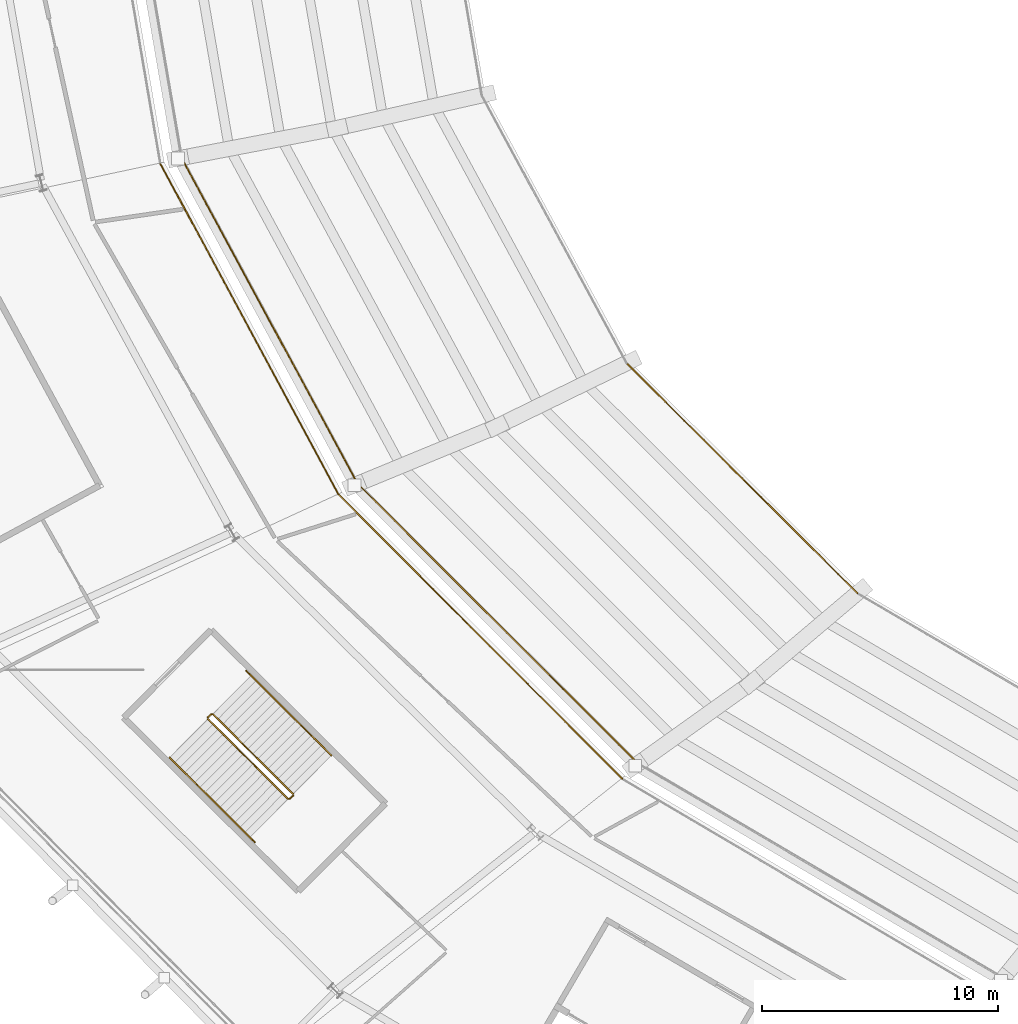
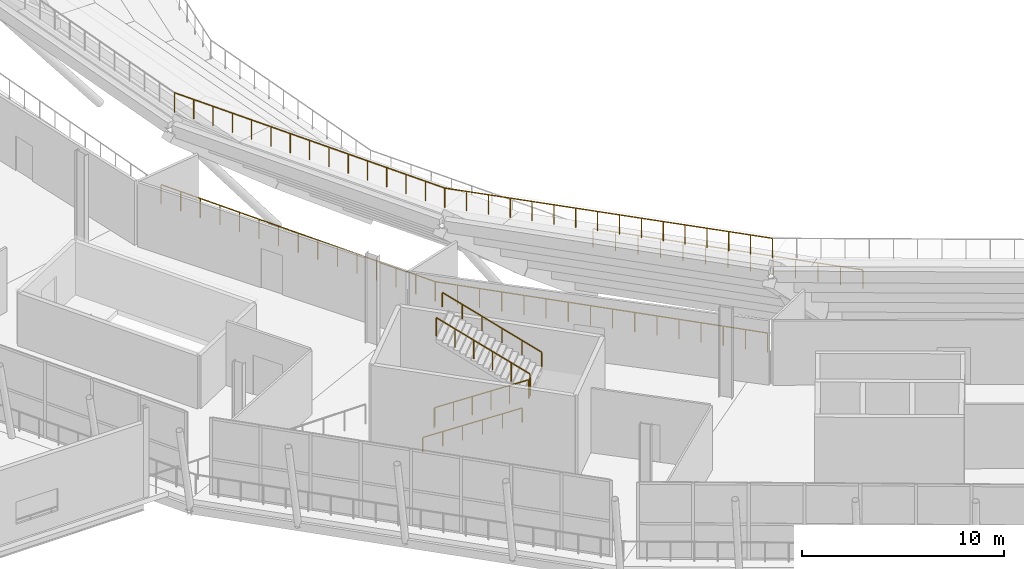
# One storey, part 107 of 126: 11 railings.
"""IFC4 building model written with IfcOpenShell, lengths in metres."""

from ifc_helpers import new_model, si_unit, direction, frame, origin, origin_2d, place, context, subcontext, project, spatial, rectangle, extrude, material, type_object, element, save


model = new_model("IFC4")

# Units and contexts
model_context = context("Model", 3, precision=1e-05, world=origin(), true_north=direction((0.0, 1.0)))
body_context = subcontext(model_context, "Body", "Model", "MODEL_VIEW")
ifc_project = project(units=[si_unit("LENGTHUNIT", "METRE"), si_unit("AREAUNIT", "SQUARE_METRE"), si_unit("VOLUMEUNIT", "CUBIC_METRE"), si_unit("PLANEANGLEUNIT", "RADIAN"), si_unit("MASSUNIT", "GRAM", prefix="KILO")], contexts=[model_context])

# Site, building, storey
site_placement = place(None, origin())
site = spatial("IfcSite", under=ifc_project, at=site_placement, CompositionType="ELEMENT")
building_placement = place(site_placement, origin())
building = spatial("IfcBuilding", under=site, at=building_placement, Name="Zlatoyarsky Gate Stadium", CompositionType="ELEMENT")
storey_placement = place(building_placement, frame((0.0, 0.0, 20.800048828125)))
storey = spatial("IfcBuildingStorey", under=building, at=storey_placement, Name="L04", CompositionType="ELEMENT", Elevation=20.800048828125)

# Railings
ifc_material_1 = material(Name="Galvanised steel sightline guardrail", Category="steel")
railing_type_1 = type_object("IfcRailingType", Name="BOWL FRONT SIGHTLINE GUARDRAIL 1150", PredefinedType="GUARDRAIL", material=ifc_material_1)
railing_1_placement = place(storey_placement, frame((57.609619140625, 56.425048828125, -4.400146484375)))
element("IfcRailing", 1, at=railing_1_placement, inside=storey, type_object=railing_type_1, Name="Upper bowl front guardrail 14", PredefinedType="GUARDRAIL", context=body_context, shape_type="SweptSolid", body=[
    extrude(rectangle(XDim=0.048095703125, YDim=0.048095703125, at=origin_2d()), frame((0.0, 0.0, 1.1259765625), z_axis=(0.708270682541, -0.705940960884, 0.0), x_axis=(0.705940960884, 0.708270682541, 0.0)), (0.0, 0.0, 1.0), 13.832763671875),
    extrude(rectangle(XDim=0.0419921875, YDim=0.0419921875, at=origin_2d()), origin(), (0.0, 0.0, 1.0), 1.101806640625),
    extrude(rectangle(XDim=0.0419921875, YDim=0.0419921875, at=origin_2d()), frame((0.81640625, -0.813720703125, 0.0)), (0.0, 0.0, 1.0), 1.101806640625),
    extrude(rectangle(XDim=0.0419921875, YDim=0.0419921875, at=origin_2d()), frame((1.6328125, -1.62744140625, 0.0)), (0.0, 0.0, 1.0), 1.101806640625),
    extrude(rectangle(XDim=0.0419921875, YDim=0.0419921875, at=origin_2d()), frame((2.44921875, -2.44140625, 0.0)), (0.0, 0.0, 1.0), 1.101806640625),
    extrude(rectangle(XDim=0.0419921875, YDim=0.0419921875, at=origin_2d()), frame((3.265869140625, -3.255126953125, 0.0)), (0.0, 0.0, 1.0), 1.101806640625),
    extrude(rectangle(XDim=0.0419921875, YDim=0.0419921875, at=origin_2d()), frame((4.082275390625, -4.06884765625, 0.0)), (0.0, 0.0, 1.0), 1.101806640625),
    extrude(rectangle(XDim=0.0419921875, YDim=0.0419921875, at=origin_2d()), frame((4.898681640625, -4.882568359375, 0.0)), (0.0, 0.0, 1.0), 1.101806640625),
    extrude(rectangle(XDim=0.0419921875, YDim=0.0419921875, at=origin_2d()), frame((5.715087890625, -5.6962890625, 0.0)), (0.0, 0.0, 1.0), 1.101806640625),
    extrude(rectangle(XDim=0.0419921875, YDim=0.0419921875, at=origin_2d()), frame((6.531494140625, -6.510009765625, 0.0)), (0.0, 0.0, 1.0), 1.101806640625),
    extrude(rectangle(XDim=0.0419921875, YDim=0.0419921875, at=origin_2d()), frame((7.34814453125, -7.32373046875, 0.0)), (0.0, 0.0, 1.0), 1.101806640625),
    extrude(rectangle(XDim=0.0419921875, YDim=0.0419921875, at=origin_2d()), frame((8.16455078125, -8.1376953125, 0.0)), (0.0, 0.0, 1.0), 1.101806640625),
    extrude(rectangle(XDim=0.0419921875, YDim=0.0419921875, at=origin_2d()), frame((8.98095703125, -8.951416015625, 0.0)), (0.0, 0.0, 1.0), 1.101806640625),
    extrude(rectangle(XDim=0.0419921875, YDim=0.0419921875, at=origin_2d()), frame((9.79736328125, -9.76513671875, 0.0)), (0.0, 0.0, 1.0), 1.101806640625),
])
ifc_material_2 = material(Name="Powder-coated steel tubular guardrail", Category="steel")
railing_type_2 = type_object("IfcRailingType", Name="CONCOURSE SLAB EDGE GUARDRAIL 1200", PredefinedType="GUARDRAIL", material=ifc_material_2)
railing_2_placement = place(storey_placement, frame((38.700439453125, 65.15673828125, 5.099853515625)))
element("IfcRailing", 2, at=railing_2_placement, inside=storey, type_object=railing_type_2, Name="Upper bowl back guardrail 13", PredefinedType="GUARDRAIL", context=body_context, shape_type="SweptSolid", body=[
    extrude(rectangle(XDim=0.048095703125, YDim=0.048095703125, at=origin_2d()), frame((0.0, 0.0, 1.17578125), z_axis=(0.475561201038, -0.879682638266, 0.0), x_axis=(0.879682638266, 0.475561201038, 0.0)), (0.0, 0.0, 1.0), 15.7236328125),
    extrude(rectangle(XDim=0.0419921875, YDim=0.0419921875, at=origin_2d()), origin(), (0.0, 0.0, 1.0), 1.15185546875),
    extrude(rectangle(XDim=0.0419921875, YDim=0.0419921875, at=origin_2d()), frame((0.5341796875, -0.988037109375, 0.0)), (0.0, 0.0, 1.0), 1.15185546875),
    extrude(rectangle(XDim=0.0419921875, YDim=0.0419921875, at=origin_2d()), frame((1.068115234375, -1.97607421875, 0.0)), (0.0, 0.0, 1.0), 1.15185546875),
    extrude(rectangle(XDim=0.0419921875, YDim=0.0419921875, at=origin_2d()), frame((1.602294921875, -2.9638671875, 0.0)), (0.0, 0.0, 1.0), 1.15185546875),
    extrude(rectangle(XDim=0.0419921875, YDim=0.0419921875, at=origin_2d()), frame((2.136474609375, -3.951904296875, 0.0)), (0.0, 0.0, 1.0), 1.15185546875),
    extrude(rectangle(XDim=0.0419921875, YDim=0.0419921875, at=origin_2d()), frame((2.670654296875, -4.93994140625, 0.0)), (0.0, 0.0, 1.0), 1.15185546875),
    extrude(rectangle(XDim=0.0419921875, YDim=0.0419921875, at=origin_2d()), frame((3.20458984375, -5.927978515625, 0.0)), (0.0, 0.0, 1.0), 1.15185546875),
    extrude(rectangle(XDim=0.0419921875, YDim=0.0419921875, at=origin_2d()), frame((3.73876953125, -6.916015625, 0.0)), (0.0, 0.0, 1.0), 1.15185546875),
    extrude(rectangle(XDim=0.0419921875, YDim=0.0419921875, at=origin_2d()), frame((4.27294921875, -7.90380859375, 0.0)), (0.0, 0.0, 1.0), 1.15185546875),
    extrude(rectangle(XDim=0.0419921875, YDim=0.0419921875, at=origin_2d()), frame((4.806884765625, -8.891845703125, 0.0)), (0.0, 0.0, 1.0), 1.15185546875),
    extrude(rectangle(XDim=0.0419921875, YDim=0.0419921875, at=origin_2d()), frame((5.341064453125, -9.8798828125, 0.0)), (0.0, 0.0, 1.0), 1.15185546875),
    extrude(rectangle(XDim=0.0419921875, YDim=0.0419921875, at=origin_2d()), frame((5.875244140625, -10.867919921875, 0.0)), (0.0, 0.0, 1.0), 1.15185546875),
    extrude(rectangle(XDim=0.0419921875, YDim=0.0419921875, at=origin_2d()), frame((6.409423828125, -11.855712890625, 0.0)), (0.0, 0.0, 1.0), 1.15185546875),
    extrude(rectangle(XDim=0.0419921875, YDim=0.0419921875, at=origin_2d()), frame((6.943359375, -12.84375, 0.0)), (0.0, 0.0, 1.0), 1.15185546875),
    extrude(rectangle(XDim=0.0419921875, YDim=0.0419921875, at=origin_2d()), frame((7.4775390625, -13.831787109375, 0.0)), (0.0, 0.0, 1.0), 1.15185546875),
])
railing_3_placement = place(storey_placement, frame((37.802001953125, 64.916015625, 0.0)))
element("IfcRailing", 3, at=railing_3_placement, inside=storey, type_object=railing_type_2, Name="L04 inner bowl edge guardrail 13", PredefinedType="GUARDRAIL", context=body_context, shape_type="SweptSolid", body=[
    extrude(rectangle(XDim=0.048095703125, YDim=0.048095703125, at=origin_2d()), frame((0.0, 0.0, 1.17578125), z_axis=(0.474196483851, -0.880419044946, 0.0), x_axis=(0.880419044946, 0.474196483851, 0.0)), (0.0, 0.0, 1.0), 15.965087890625),
    extrude(rectangle(XDim=0.0419921875, YDim=0.0419921875, at=origin_2d()), origin(), (0.0, 0.0, 1.0), 1.15185546875),
    extrude(rectangle(XDim=0.0419921875, YDim=0.0419921875, at=origin_2d()), frame((0.540771484375, -1.00390625, 0.0)), (0.0, 0.0, 1.0), 1.15185546875),
    extrude(rectangle(XDim=0.0419921875, YDim=0.0419921875, at=origin_2d()), frame((1.08154296875, -2.008056640625, 0.0)), (0.0, 0.0, 1.0), 1.15185546875),
    extrude(rectangle(XDim=0.0419921875, YDim=0.0419921875, at=origin_2d()), frame((1.622314453125, -3.011962890625, 0.0)), (0.0, 0.0, 1.0), 1.15185546875),
    extrude(rectangle(XDim=0.0419921875, YDim=0.0419921875, at=origin_2d()), frame((2.1630859375, -4.015869140625, 0.0)), (0.0, 0.0, 1.0), 1.15185546875),
    extrude(rectangle(XDim=0.0419921875, YDim=0.0419921875, at=origin_2d()), frame((2.703857421875, -5.02001953125, 0.0)), (0.0, 0.0, 1.0), 1.15185546875),
    extrude(rectangle(XDim=0.0419921875, YDim=0.0419921875, at=origin_2d()), frame((3.24462890625, -6.02392578125, 0.0)), (0.0, 0.0, 1.0), 1.15185546875),
    extrude(rectangle(XDim=0.0419921875, YDim=0.0419921875, at=origin_2d()), frame((3.78515625, -7.02783203125, 0.0)), (0.0, 0.0, 1.0), 1.15185546875),
    extrude(rectangle(XDim=0.0419921875, YDim=0.0419921875, at=origin_2d()), frame((4.325927734375, -8.031982421875, 0.0)), (0.0, 0.0, 1.0), 1.15185546875),
    extrude(rectangle(XDim=0.0419921875, YDim=0.0419921875, at=origin_2d()), frame((4.86669921875, -9.035888671875, 0.0)), (0.0, 0.0, 1.0), 1.15185546875),
    extrude(rectangle(XDim=0.0419921875, YDim=0.0419921875, at=origin_2d()), frame((5.407470703125, -10.0400390625, 0.0)), (0.0, 0.0, 1.0), 1.15185546875),
    extrude(rectangle(XDim=0.0419921875, YDim=0.0419921875, at=origin_2d()), frame((5.9482421875, -11.0439453125, 0.0)), (0.0, 0.0, 1.0), 1.15185546875),
    extrude(rectangle(XDim=0.0419921875, YDim=0.0419921875, at=origin_2d()), frame((6.489013671875, -12.0478515625, 0.0)), (0.0, 0.0, 1.0), 1.15185546875),
    extrude(rectangle(XDim=0.0419921875, YDim=0.0419921875, at=origin_2d()), frame((7.02978515625, -13.052001953125, 0.0)), (0.0, 0.0, 1.0), 1.15185546875),
    extrude(rectangle(XDim=0.0419921875, YDim=0.0419921875, at=origin_2d()), frame((7.570556640625, -14.055908203125, 0.0)), (0.0, 0.0, 1.0), 1.15185546875),
])
railing_4_placement = place(storey_placement, frame((46.177978515625, 51.324951171875, 5.099853515625)))
element("IfcRailing", 4, at=railing_4_placement, inside=storey, type_object=railing_type_2, Name="Upper bowl back guardrail 14", PredefinedType="GUARDRAIL", context=body_context, shape_type="SweptSolid", body=[
    extrude(rectangle(XDim=0.048095703125, YDim=0.048095703125, at=origin_2d()), frame((0.0, 0.0, 1.17578125), z_axis=(0.707629445314, -0.706583730441, 0.0), x_axis=(0.706583730441, 0.707629445314, 0.0)), (0.0, 0.0, 1.0), 16.8095703125),
    extrude(rectangle(XDim=0.0419921875, YDim=0.0419921875, at=origin_2d()), origin(), (0.0, 0.0, 1.0), 1.15185546875),
    extrude(rectangle(XDim=0.0419921875, YDim=0.0419921875, at=origin_2d()), frame((0.79296875, -0.791748046875, 0.0)), (0.0, 0.0, 1.0), 1.15185546875),
    extrude(rectangle(XDim=0.0419921875, YDim=0.0419921875, at=origin_2d()), frame((1.5859375, -1.583740234375, 0.0)), (0.0, 0.0, 1.0), 1.15185546875),
    extrude(rectangle(XDim=0.0419921875, YDim=0.0419921875, at=origin_2d()), frame((2.37890625, -2.37548828125, 0.0)), (0.0, 0.0, 1.0), 1.15185546875),
    extrude(rectangle(XDim=0.0419921875, YDim=0.0419921875, at=origin_2d()), frame((3.172119140625, -3.167236328125, 0.0)), (0.0, 0.0, 1.0), 1.15185546875),
    extrude(rectangle(XDim=0.0419921875, YDim=0.0419921875, at=origin_2d()), frame((3.965087890625, -3.959228515625, 0.0)), (0.0, 0.0, 1.0), 1.15185546875),
    extrude(rectangle(XDim=0.0419921875, YDim=0.0419921875, at=origin_2d()), frame((4.758056640625, -4.7509765625, 0.0)), (0.0, 0.0, 1.0), 1.15185546875),
    extrude(rectangle(XDim=0.0419921875, YDim=0.0419921875, at=origin_2d()), frame((5.551025390625, -5.542724609375, 0.0)), (0.0, 0.0, 1.0), 1.15185546875),
    extrude(rectangle(XDim=0.0419921875, YDim=0.0419921875, at=origin_2d()), frame((6.343994140625, -6.334716796875, 0.0)), (0.0, 0.0, 1.0), 1.15185546875),
    extrude(rectangle(XDim=0.0419921875, YDim=0.0419921875, at=origin_2d()), frame((7.136962890625, -7.12646484375, 0.0)), (0.0, 0.0, 1.0), 1.15185546875),
    extrude(rectangle(XDim=0.0419921875, YDim=0.0419921875, at=origin_2d()), frame((7.929931640625, -7.918212890625, 0.0)), (0.0, 0.0, 1.0), 1.15185546875),
    extrude(rectangle(XDim=0.0419921875, YDim=0.0419921875, at=origin_2d()), frame((8.722900390625, -8.710205078125, 0.0)), (0.0, 0.0, 1.0), 1.15185546875),
    extrude(rectangle(XDim=0.0419921875, YDim=0.0419921875, at=origin_2d()), frame((9.51611328125, -9.501953125, 0.0)), (0.0, 0.0, 1.0), 1.15185546875),
    extrude(rectangle(XDim=0.0419921875, YDim=0.0419921875, at=origin_2d()), frame((10.30908203125, -10.293701171875, 0.0)), (0.0, 0.0, 1.0), 1.15185546875),
    extrude(rectangle(XDim=0.0419921875, YDim=0.0419921875, at=origin_2d()), frame((11.10205078125, -11.085693359375, 0.0)), (0.0, 0.0, 1.0), 1.15185546875),
    extrude(rectangle(XDim=0.0419921875, YDim=0.0419921875, at=origin_2d()), frame((11.89501953125, -11.87744140625, 0.0)), (0.0, 0.0, 1.0), 1.15185546875),
])
railing_5_placement = place(storey_placement, frame((45.37255859375, 50.860107421875, 0.0)))
element("IfcRailing", 5, at=railing_5_placement, inside=storey, type_object=railing_type_2, Name="L04 inner bowl edge guardrail 14", PredefinedType="GUARDRAIL", context=body_context, shape_type="SweptSolid", body=[
    extrude(rectangle(XDim=0.048095703125, YDim=0.048095703125, at=origin_2d()), frame((0.0, 0.0, 1.17578125), z_axis=(0.706297313219, -0.707915323566, 0.0), x_axis=(0.707915323566, 0.706297313219, 0.0)), (0.0, 0.0, 1.0), 17.050537109375),
    extrude(rectangle(XDim=0.0419921875, YDim=0.0419921875, at=origin_2d()), origin(), (0.0, 0.0, 1.0), 1.15185546875),
    extrude(rectangle(XDim=0.0419921875, YDim=0.0419921875, at=origin_2d()), frame((0.802734375, -0.8046875, 0.0)), (0.0, 0.0, 1.0), 1.15185546875),
    extrude(rectangle(XDim=0.0419921875, YDim=0.0419921875, at=origin_2d()), frame((1.605712890625, -1.609375, 0.0)), (0.0, 0.0, 1.0), 1.15185546875),
    extrude(rectangle(XDim=0.0419921875, YDim=0.0419921875, at=origin_2d()), frame((2.408447265625, -2.4140625, 0.0)), (0.0, 0.0, 1.0), 1.15185546875),
    extrude(rectangle(XDim=0.0419921875, YDim=0.0419921875, at=origin_2d()), frame((3.21142578125, -3.21875, 0.0)), (0.0, 0.0, 1.0), 1.15185546875),
    extrude(rectangle(XDim=0.0419921875, YDim=0.0419921875, at=origin_2d()), frame((4.01416015625, -4.0234375, 0.0)), (0.0, 0.0, 1.0), 1.15185546875),
    extrude(rectangle(XDim=0.0419921875, YDim=0.0419921875, at=origin_2d()), frame((4.817138671875, -4.828125, 0.0)), (0.0, 0.0, 1.0), 1.15185546875),
    extrude(rectangle(XDim=0.0419921875, YDim=0.0419921875, at=origin_2d()), frame((5.619873046875, -5.6328125, 0.0)), (0.0, 0.0, 1.0), 1.15185546875),
    extrude(rectangle(XDim=0.0419921875, YDim=0.0419921875, at=origin_2d()), frame((6.4228515625, -6.4375, 0.0)), (0.0, 0.0, 1.0), 1.15185546875),
    extrude(rectangle(XDim=0.0419921875, YDim=0.0419921875, at=origin_2d()), frame((7.2255859375, -7.2421875, 0.0)), (0.0, 0.0, 1.0), 1.15185546875),
    extrude(rectangle(XDim=0.0419921875, YDim=0.0419921875, at=origin_2d()), frame((8.028564453125, -8.046875, 0.0)), (0.0, 0.0, 1.0), 1.15185546875),
    extrude(rectangle(XDim=0.0419921875, YDim=0.0419921875, at=origin_2d()), frame((8.831298828125, -8.8515625, 0.0)), (0.0, 0.0, 1.0), 1.15185546875),
    extrude(rectangle(XDim=0.0419921875, YDim=0.0419921875, at=origin_2d()), frame((9.63427734375, -9.65625, 0.0)), (0.0, 0.0, 1.0), 1.15185546875),
    extrude(rectangle(XDim=0.0419921875, YDim=0.0419921875, at=origin_2d()), frame((10.43701171875, -10.4609375, 0.0)), (0.0, 0.0, 1.0), 1.15185546875),
    extrude(rectangle(XDim=0.0419921875, YDim=0.0419921875, at=origin_2d()), frame((11.239990234375, -11.265625, 0.0)), (0.0, 0.0, 1.0), 1.15185546875),
    extrude(rectangle(XDim=0.0419921875, YDim=0.0419921875, at=origin_2d()), frame((12.042724609375, -12.0703125, 0.0)), (0.0, 0.0, 1.0), 1.15185546875),
])
ifc_material_3 = material(Name="Powder-coated steel stair guardrail", Category="steel")
railing_type_3 = type_object("IfcRailingType", Name="PAINTED STEEL STAIR WELL GUARDRAIL 1150", PredefinedType="GUARDRAIL", material=ifc_material_3)
railing_6_placement = place(storey_placement, frame((39.829345703125, 41.318603515625, 0.15869140625)))
element("IfcRailing", 6, at=railing_6_placement, inside=storey, type_object=railing_type_3, Name="ST-08 L04 stair guard 1", PredefinedType="GUARDRAIL", context=body_context, shape_type="SweptSolid", body=[
    extrude(rectangle(XDim=0.048095703125, YDim=0.048095703125, at=origin_2d()), frame((0.0, 0.0, 1.1259765625), z_axis=(0.626496914872, -0.623350270397, 0.467906033357), x_axis=(0.705324317314, 0.708884763136, 0.0)), (0.0, 0.0, 1.0), 5.43115234375),
    extrude(rectangle(XDim=0.0419921875, YDim=0.0419921875, at=origin_2d()), origin(), (0.0, 0.0, 1.0), 1.101806640625),
    extrude(rectangle(XDim=0.0419921875, YDim=0.0419921875, at=origin_2d()), frame((0.680419921875, -0.677001953125, 0.50830078125)), (0.0, 0.0, 1.0), 1.101806640625),
    extrude(rectangle(XDim=0.0419921875, YDim=0.0419921875, at=origin_2d()), frame((1.361083984375, -1.354248046875, 1.0166015625)), (0.0, 0.0, 1.0), 1.101806640625),
    extrude(rectangle(XDim=0.0419921875, YDim=0.0419921875, at=origin_2d()), frame((2.04150390625, -2.03125, 1.524658203125)), (0.0, 0.0, 1.0), 1.101806640625),
    extrude(rectangle(XDim=0.0419921875, YDim=0.0419921875, at=origin_2d()), frame((2.72216796875, -2.70849609375, 2.032958984375)), (0.0, 0.0, 1.0), 1.101806640625),
    extrude(rectangle(XDim=0.0419921875, YDim=0.0419921875, at=origin_2d()), frame((3.402587890625, -3.385498046875, 2.541259765625)), (0.0, 0.0, 1.0), 1.101806640625),
])
railing_7_placement = place(storey_placement, frame((43.302734375, 37.933349609375, 2.699951171875)))
element("IfcRailing", 7, at=railing_7_placement, inside=storey, type_object=railing_type_3, Name="ST-08 L04 stair guard 2", PredefinedType="GUARDRAIL", context=body_context, shape_type="SweptSolid", body=[
    extrude(rectangle(XDim=0.048095703125, YDim=0.048095703125, at=origin_2d()), frame((0.0, 0.0, 1.1259765625), z_axis=(0.705274116237, 0.708934708536, 0.0), x_axis=(-0.708934708536, 0.705274116237, 0.0)), (0.0, 0.0, 1.0), 0.2001953125),
    extrude(rectangle(XDim=0.0419921875, YDim=0.0419921875, at=origin_2d()), origin(), (0.0, 0.0, 1.0), 1.101806640625),
    extrude(rectangle(XDim=0.0419921875, YDim=0.0419921875, at=origin_2d()), frame((0.14111328125, 0.141845703125, 0.0)), (0.0, 0.0, 1.0), 1.101806640625),
])
railing_8_placement = place(storey_placement, frame((43.443603515625, 38.145751953125, 2.85888671875)))
element("IfcRailing", 8, at=railing_8_placement, inside=storey, type_object=railing_type_3, Name="ST-08 L04 stair guard 3", PredefinedType="GUARDRAIL", context=body_context, shape_type="SweptSolid", body=[
    extrude(rectangle(XDim=0.048095703125, YDim=0.048095703125, at=origin_2d()), frame((0.0, 0.0, 1.1259765625), z_axis=(-0.626537399108, 0.623345825329, 0.467857745008), x_axis=(-0.705298886343, -0.708910065469, 0.0)), (0.0, 0.0, 1.0), 5.43115234375),
    extrude(rectangle(XDim=0.0419921875, YDim=0.0419921875, at=origin_2d()), origin(), (0.0, 0.0, 1.0), 1.101806640625),
    extrude(rectangle(XDim=0.0419921875, YDim=0.0419921875, at=origin_2d()), frame((-0.6806640625, 0.677001953125, 0.50830078125)), (0.0, 0.0, 1.0), 1.101806640625),
    extrude(rectangle(XDim=0.0419921875, YDim=0.0419921875, at=origin_2d()), frame((-1.361083984375, 1.354248046875, 1.016357421875)), (0.0, 0.0, 1.0), 1.101806640625),
    extrude(rectangle(XDim=0.0419921875, YDim=0.0419921875, at=origin_2d()), frame((-2.041748046875, 2.03125, 1.524658203125)), (0.0, 0.0, 1.0), 1.101806640625),
    extrude(rectangle(XDim=0.0419921875, YDim=0.0419921875, at=origin_2d()), frame((-2.72216796875, 2.70849609375, 2.03271484375)), (0.0, 0.0, 1.0), 1.101806640625),
    extrude(rectangle(XDim=0.0419921875, YDim=0.0419921875, at=origin_2d()), frame((-3.40283203125, 3.385498046875, 2.541015625)), (0.0, 0.0, 1.0), 1.101806640625),
])
railing_9_placement = place(storey_placement, frame((39.8291015625, 41.389404296875, 0.0)))
element("IfcRailing", 9, at=railing_9_placement, inside=storey, type_object=railing_type_3, Name="ST-08 L04 stair guard 4", PredefinedType="GUARDRAIL", context=body_context, shape_type="SweptSolid", body=[
    extrude(rectangle(XDim=0.048095703125, YDim=0.048095703125, at=origin_2d()), frame((0.0, 0.0, 1.1259765625), z_axis=(0.705884473151, 0.708326979978, 0.0), x_axis=(-0.708326979978, 0.705884473151, 0.0)), (0.0, 0.0, 1.0), 0.199951171875),
    extrude(rectangle(XDim=0.0419921875, YDim=0.0419921875, at=origin_2d()), origin(), (0.0, 0.0, 1.0), 1.101806640625),
    extrude(rectangle(XDim=0.0419921875, YDim=0.0419921875, at=origin_2d()), frame((0.14111328125, 0.1416015625, 0.0)), (0.0, 0.0, 1.0), 1.101806640625),
])
ifc_material_4 = material(Name="Brushed stainless steel 316 handrail", Category="steel")
railing_type_4 = type_object("IfcRailingType", Name="STAINLESS STEEL TUBULAR HANDRAIL 900", PredefinedType="HANDRAIL", material=ifc_material_4)
railing_10_placement = place(storey_placement, frame((38.20703125, 39.688232421875, 0.162841796875)))
element("IfcRailing", 10, at=railing_10_placement, inside=storey, type_object=railing_type_4, Name="ST-08 L04 stair handrail 1", PredefinedType="HANDRAIL", context=body_context, shape_type="SweptSolid", body=[
    extrude(rectangle(XDim=0.048095703125, YDim=0.048095703125, at=origin_2d()), frame((0.0, 0.0, 0.8759765625), z_axis=(0.626522822418, -0.62334980522, 0.467871962531), x_axis=(0.705309395881, 0.708899609312, 0.0)), (0.0, 0.0, 1.0), 5.770751953125),
    extrude(rectangle(XDim=0.0419921875, YDim=0.0419921875, at=origin_2d()), origin(), (0.0, 0.0, 1.0), 0.851806640625),
    extrude(rectangle(XDim=0.0419921875, YDim=0.0419921875, at=origin_2d()), frame((0.72314453125, -0.719482421875, 0.5400390625)), (0.0, 0.0, 1.0), 0.851806640625),
    extrude(rectangle(XDim=0.0419921875, YDim=0.0419921875, at=origin_2d()), frame((1.4462890625, -1.43896484375, 1.080078125)), (0.0, 0.0, 1.0), 0.851806640625),
    extrude(rectangle(XDim=0.0419921875, YDim=0.0419921875, at=origin_2d()), frame((2.169189453125, -2.158203125, 1.619873046875)), (0.0, 0.0, 1.0), 0.851806640625),
    extrude(rectangle(XDim=0.0419921875, YDim=0.0419921875, at=origin_2d()), frame((2.892333984375, -2.877685546875, 2.159912109375)), (0.0, 0.0, 1.0), 0.851806640625),
    extrude(rectangle(XDim=0.0419921875, YDim=0.0419921875, at=origin_2d()), frame((3.615478515625, -3.59716796875, 2.699951171875)), (0.0, 0.0, 1.0), 0.851806640625),
])
railing_11_placement = place(storey_placement, frame((45.06591796875, 39.7763671875, 2.86279296875)))
element("IfcRailing", 11, at=railing_11_placement, inside=storey, type_object=railing_type_4, Name="ST-08 L04 stair handrail 2", PredefinedType="HANDRAIL", context=body_context, shape_type="SweptSolid", body=[
    extrude(rectangle(XDim=0.048095703125, YDim=0.048095703125, at=origin_2d()), frame((0.0, 0.0, 0.8759765625), z_axis=(-0.626539345167, 0.623323936279, 0.467884301317), x_axis=(-0.705285338382, -0.708923544159, 0.0)), (0.0, 0.0, 1.0), 5.7705078125),
    extrude(rectangle(XDim=0.0419921875, YDim=0.0419921875, at=origin_2d()), origin(), (0.0, 0.0, 1.0), 0.851806640625),
    extrude(rectangle(XDim=0.0419921875, YDim=0.0419921875, at=origin_2d()), frame((-0.72314453125, 0.719482421875, 0.5400390625)), (0.0, 0.0, 1.0), 0.851806640625),
    extrude(rectangle(XDim=0.0419921875, YDim=0.0419921875, at=origin_2d()), frame((-1.4462890625, 1.438720703125, 1.080078125)), (0.0, 0.0, 1.0), 0.851806640625),
    extrude(rectangle(XDim=0.0419921875, YDim=0.0419921875, at=origin_2d()), frame((-2.169189453125, 2.158203125, 1.619873046875)), (0.0, 0.0, 1.0), 0.851806640625),
    extrude(rectangle(XDim=0.0419921875, YDim=0.0419921875, at=origin_2d()), frame((-2.892333984375, 2.87744140625, 2.159912109375)), (0.0, 0.0, 1.0), 0.851806640625),
    extrude(rectangle(XDim=0.0419921875, YDim=0.0419921875, at=origin_2d()), frame((-3.615478515625, 3.596923828125, 2.699951171875)), (0.0, 0.0, 1.0), 0.851806640625),
])

save(model, "model.ifc")
